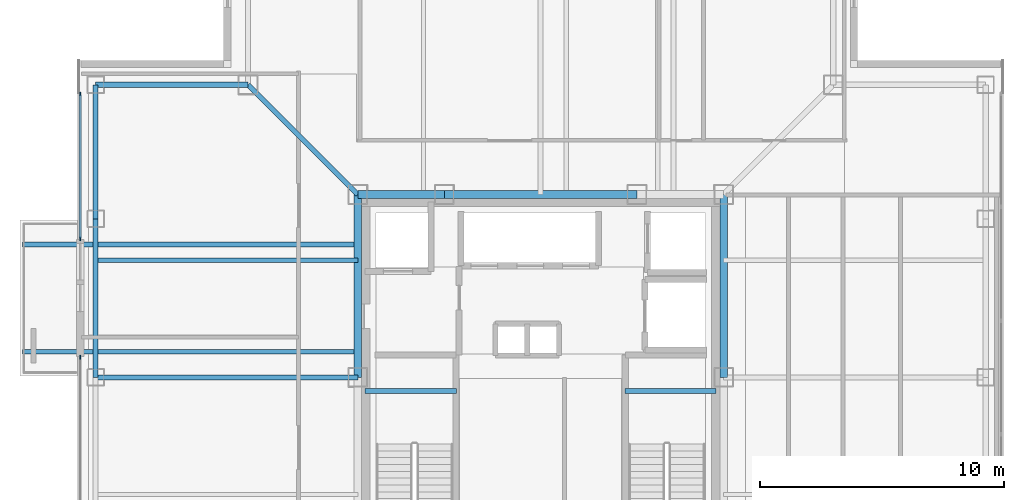
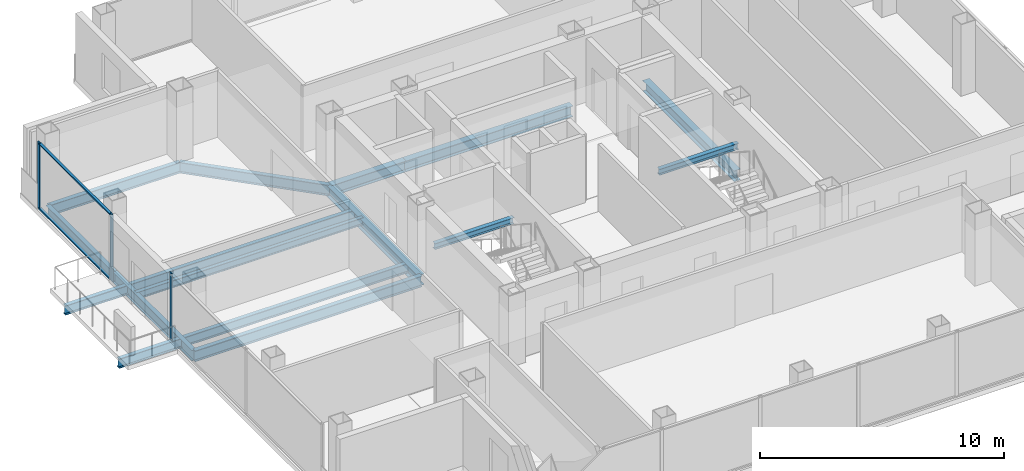
# One storey, part 4 of 13: 14 beams, 5 members, 2 elements without a shape of their own.
"""IFC4 building model written with IfcOpenShell, lengths in metres."""

from ifc_helpers import new_model, si_unit, direction, frame, origin, origin_2d, place, context, subcontext, project, spatial, rectangle, i_section, extrude, material, layer, layer_set, material_profile, profile_set, type_object, element, aggregate, save


model = new_model("IFC4")

# Units and contexts
model_context = context("Model", 3, precision=1e-05, world=origin(), true_north=direction((0.0, 1.0)))
body_context = subcontext(model_context, "Body", "Model", "MODEL_VIEW")
ifc_project = project(units=[si_unit("LENGTHUNIT", "METRE"), si_unit("AREAUNIT", "SQUARE_METRE"), si_unit("VOLUMEUNIT", "CUBIC_METRE"), si_unit("PLANEANGLEUNIT", "RADIAN"), si_unit("MASSUNIT", "GRAM", prefix="KILO")], contexts=[model_context])

# Site, building, storey
site_placement = place(None, origin())
site = spatial("IfcSite", under=ifc_project, at=site_placement, CompositionType="ELEMENT")
building_placement = place(site_placement, origin())
building = spatial("IfcBuilding", under=site, at=building_placement, Name="Trevonay Congress Spire", CompositionType="ELEMENT")
storey_placement = place(building_placement, frame((0.0, 0.0, 254.0)))
storey = spatial("IfcBuildingStorey", under=building, at=storey_placement, Name="L66", CompositionType="ELEMENT", Elevation=254.0)

# Beams
ifc_material_1 = material(Name="Steel ASTM A572 Grade 50", Category="steel")
ifc_material_profile_1 = material_profile(ifc_material_1, i_section(OverallWidth=0.194091796875, OverallDepth=0.468994140625, WebThickness=0.011474609375, FlangeThickness=0.01953125, FilletRadius=0.013916015625, at=origin_2d()), Name="W460x106")
ifc_profile_set_1 = profile_set([ifc_material_profile_1], Name="Steel ASTM A572 Grade 50")
beam_type_1 = type_object("IfcBeamType", Name="BM-BAL-LOOKOUT", PredefinedType="BEAM", material=ifc_profile_set_1)
for number, where, z_axis, x_axis, name in (
    (1, (-7.5, 1.050048828125, -0.474609375), (-1.0, 0.0, 0.0), (0.0, -1.0, 0.0), "L66 structural beam LKT-L66-W1"),
    (2, (-7.5, 5.449951171875, -0.474609375), (-1.0, 0.0, 0.0), (0.0, -1.0, 0.0), "L66 structural beam LKT-L66-W2"),
):
    element("IfcBeam", number, at=place(storey_placement, frame(where, z_axis=z_axis, x_axis=x_axis)), inside=storey, type_object=beam_type_1, Name=name, PredefinedType="BEAM", context=body_context, shape_type="SweptSolid", body=[
        extrude(i_section(OverallWidth=0.194091796875, OverallDepth=0.468994140625, WebThickness=0.011474609375, FlangeThickness=0.01953125, FilletRadius=0.013916015625, at=origin_2d()), origin(), (0.0, 0.0, 1.0), 13.75),
    ])
ifc_material_profile_2 = material_profile(ifc_material_1, i_section(OverallWidth=0.2119140625, OverallDepth=0.5439453125, WebThickness=0.01318359375, FlangeThickness=0.021240234375, FilletRadius=0.014892578125, at=origin_2d()), Name="W530x123")
ifc_profile_set_2 = profile_set([ifc_material_profile_2], Name="Steel ASTM A572 Grade 50")
beam_type_2 = type_object("IfcBeamType", Name="BM-GIRD-W530X123", PredefinedType="BEAM", material=ifc_profile_set_2)
beam_1_placement = place(storey_placement, frame((-7.5, 7.5, -0.511962890625), z_axis=(-0.707106781187, 0.707106781187, 0.0), x_axis=(-0.707106781187, -0.707106781187, 0.0)))
element("IfcBeam", 3, at=beam_1_placement, inside=storey, type_object=beam_type_2, Name="L66 structural beam BM-L66-CDNW", PredefinedType="BEAM", context=body_context, shape_type="SweptSolid", body=[
    extrude(i_section(OverallWidth=0.2119140625, OverallDepth=0.5439453125, WebThickness=0.01318359375, FlangeThickness=0.021240234375, FilletRadius=0.014892578125, at=origin_2d()), origin(), (0.0, 0.0, 1.0), 6.364013671875),
])
beam_2_placement = place(storey_placement, frame((-7.5, 0.0, -0.511962890625), z_axis=(-1.0, 0.0, 0.0), x_axis=(0.0, -1.0, 0.0)))
element("IfcBeam", 4, at=beam_2_placement, inside=storey, type_object=beam_type_2, Name="L66 structural beam BM-L66-GC-W", PredefinedType="BEAM", context=body_context, shape_type="SweptSolid", body=[
    extrude(i_section(OverallWidth=0.2119140625, OverallDepth=0.5439453125, WebThickness=0.01318359375, FlangeThickness=0.021240234375, FilletRadius=0.014892578125, at=origin_2d()), origin(), (0.0, 0.0, 1.0), 10.75),
])
ifc_material_profile_3 = material_profile(ifc_material_1, i_section(OverallWidth=0.31201171875, OverallDepth=0.54296875, WebThickness=0.0126953125, FlangeThickness=0.020263671875, FilletRadius=0.014892578125, at=origin_2d()), Name="W530x150")
ifc_profile_set_3 = profile_set([ifc_material_profile_3], Name="Steel ASTM A572 Grade 50")
beam_type_3 = type_object("IfcBeamType", Name="BM-GIRD-W530X150", PredefinedType="BEAM", material=ifc_profile_set_3)
beam_3_placement = place(storey_placement, frame((-7.5, 7.5, -0.511474609375), z_axis=(1.0, 0.0, 0.0), x_axis=(0.0, 1.0, 0.0)))
element("IfcBeam", 5, at=beam_3_placement, inside=storey, type_object=beam_type_3, Name="L66 structural beam BM-L66-CR-N1", PredefinedType="BEAM", context=body_context, shape_type="SweptSolid", body=[
    extrude(i_section(OverallWidth=0.31201171875, OverallDepth=0.54296875, WebThickness=0.0126953125, FlangeThickness=0.020263671875, FilletRadius=0.014892578125, at=origin_2d()), origin(), (0.0, 0.0, 1.0), 3.550048828125),
])
beam_4_placement = place(storey_placement, frame((-3.949951171875, 7.5, -0.511474609375), z_axis=(1.0, 0.0, 0.0), x_axis=(0.0, 1.0, 0.0)))
element("IfcBeam", 6, at=beam_4_placement, inside=storey, type_object=beam_type_3, Name="L66 structural beam BM-L66-CR-N2", PredefinedType="BEAM", context=body_context, shape_type="SweptSolid", body=[
    extrude(i_section(OverallWidth=0.31201171875, OverallDepth=0.54296875, WebThickness=0.0126953125, FlangeThickness=0.020263671875, FilletRadius=0.014892578125, at=origin_2d()), origin(), (0.0, 0.0, 1.0), 7.89990234375),
])
for number, where, z_axis, x_axis, name in (
    (7, (-7.5, 0.0, -0.511474609375), (0.0, 1.0, 0.0), (-1.0, 0.0, 0.0), "L66 structural beam BM-L66-CR-W2"),
    (8, (7.5, 0.0, -0.511474609375), (0.0, 1.0, 0.0), (-1.0, 0.0, 0.0), "L66 structural beam BM-L66-CR-E2"),
):
    element("IfcBeam", number, at=place(storey_placement, frame(where, z_axis=z_axis, x_axis=x_axis)), inside=storey, type_object=beam_type_3, Name=name, PredefinedType="BEAM", context=body_context, shape_type="SweptSolid", body=[
        extrude(i_section(OverallWidth=0.31201171875, OverallDepth=0.54296875, WebThickness=0.0126953125, FlangeThickness=0.020263671875, FilletRadius=0.014892578125, at=origin_2d()), origin(), (0.0, 0.0, 1.0), 7.5),
    ])
ifc_material_profile_4 = material_profile(ifc_material_1, i_section(OverallWidth=0.208984375, OverallDepth=0.532958984375, WebThickness=0.01025390625, FlangeThickness=0.015625, FilletRadius=0.014892578125, at=origin_2d()), Name="W530x92")
ifc_profile_set_4 = profile_set([ifc_material_profile_4], Name="Steel ASTM A572 Grade 50")
beam_type_4 = type_object("IfcBeamType", Name="BM-RING-W530X92", PredefinedType="BEAM", material=ifc_profile_set_4)
beam_5_placement = place(storey_placement, frame((-18.25, 0.0, -0.506591796875), z_axis=(0.0, 1.0, 0.0), x_axis=(-1.0, 0.0, 0.0)))
element("IfcBeam", 9, at=beam_5_placement, inside=storey, type_object=beam_type_4, Name="L66 structural beam BM-L66-PW3", PredefinedType="BEAM", context=body_context, shape_type="SweptSolid", body=[
    extrude(i_section(OverallWidth=0.208984375, OverallDepth=0.532958984375, WebThickness=0.01025390625, FlangeThickness=0.015625, FilletRadius=0.014892578125, at=origin_2d()), origin(), (0.0, 0.0, 1.0), 6.5),
])
beam_6_placement = place(storey_placement, frame((-18.25, 6.5, -0.506591796875), z_axis=(0.0, 1.0, 0.0), x_axis=(-1.0, 0.0, 0.0)))
element("IfcBeam", 10, at=beam_6_placement, inside=storey, type_object=beam_type_4, Name="L66 structural beam BM-L66-PW4", PredefinedType="BEAM", context=body_context, shape_type="SweptSolid", body=[
    extrude(i_section(OverallWidth=0.208984375, OverallDepth=0.532958984375, WebThickness=0.01025390625, FlangeThickness=0.015625, FilletRadius=0.014892578125, at=origin_2d()), origin(), (0.0, 0.0, 1.0), 5.5),
])
beam_7_placement = place(storey_placement, frame((-18.25, 12.0, -0.506591796875), z_axis=(1.0, 0.0, 0.0), x_axis=(0.0, 1.0, 0.0)))
element("IfcBeam", 11, at=beam_7_placement, inside=storey, type_object=beam_type_4, Name="L66 structural beam BM-L66-N2NW", PredefinedType="BEAM", context=body_context, shape_type="SweptSolid", body=[
    extrude(i_section(OverallWidth=0.208984375, OverallDepth=0.532958984375, WebThickness=0.01025390625, FlangeThickness=0.015625, FilletRadius=0.014892578125, at=origin_2d()), origin(), (0.0, 0.0, 1.0), 6.25),
])

# Curtain wall, member
ifc_material_2 = material(Name="Pale Anodised Aluminium EN AW-6063-T6", Category="aluminium")
ifc_layer = layer(ifc_material_2, 0.1650390625, Name="Pale Anodised Aluminium EN AW-6063-T6")
ifc_layer_set = layer_set([ifc_layer], Name="Pale Anodised Aluminium EN AW-6063-T6")
curtain_wall_type = type_object("IfcCurtainWallType", Name="CW-SYS05-DIPLOM-PALE-METAL", PredefinedType="NOTDEFINED", material=ifc_layer_set)
curtain_wall_1_placement = place(storey_placement, origin())
curtain_wall_1 = element("IfcCurtainWall", 12, at=curtain_wall_1_placement, inside=storey, type_object=curtain_wall_type, Name="L66 WA unitised curtain wall", PredefinedType="NOTDEFINED")
ifc_material_profile_5 = material_profile(ifc_material_2, rectangle(XDim=0.06005859375, YDim=0.159912109375, at=origin_2d()), Name="CW-MULLION-160-ALUMINIUM")
ifc_profile_set_5 = profile_set([ifc_material_profile_5], Name="Pale Anodised Aluminium EN AW-6063-T6")
member_type_1 = type_object("IfcMemberType", Name="CW-MULLION-160-ALUMINIUM", PredefinedType="MULLION", material=ifc_profile_set_5)
member_1_placement = place(storey_placement, frame((-18.8798828125, 0.820068359375, 0.0), z_axis=(0.0, 0.0, 1.0), x_axis=(-1.0, 0.0, 0.0)))
member_1 = element("IfcMember", 13, at=member_1_placement, type_object=member_type_1, Name="CW05 mullion 3", PredefinedType="MULLION", context=body_context, shape_type="SweptSolid", body=[
    extrude(rectangle(XDim=0.06005859375, YDim=0.159912109375, at=origin_2d()), origin(), (0.0, 0.0, 1.0), 3.360107421875),
])
aggregate(curtain_wall_1, [member_1])

# Curtain wall, members
curtain_wall_2_placement = place(storey_placement, origin())
curtain_wall_2 = element("IfcCurtainWall", 14, at=curtain_wall_2_placement, inside=storey, type_object=curtain_wall_type, Name="L66 WB unitised curtain wall", PredefinedType="NOTDEFINED")
member_2_placement = place(storey_placement, frame((-18.8798828125, 5.679931640625, 0.0), z_axis=(0.0, 0.0, 1.0), x_axis=(-1.0, 0.0, 0.0)))
member_2 = element("IfcMember", 15, at=member_2_placement, type_object=member_type_1, Name="CW05 mullion 1", PredefinedType="MULLION", context=body_context, shape_type="SweptSolid", body=[
    extrude(rectangle(XDim=0.06005859375, YDim=0.159912109375, at=origin_2d()), origin(), (0.0, 0.0, 1.0), 3.360107421875),
])
member_3_placement = place(storey_placement, frame((-18.8798828125, 11.6201171875, 0.0), z_axis=(0.0, 0.0, 1.0), x_axis=(-1.0, 0.0, 0.0)))
member_3 = element("IfcMember", 16, at=member_3_placement, type_object=member_type_1, Name="CW05 mullion 2", PredefinedType="MULLION", context=body_context, shape_type="SweptSolid", body=[
    extrude(rectangle(XDim=0.06005859375, YDim=0.159912109375, at=origin_2d()), origin(), (0.0, 0.0, 1.0), 3.360107421875),
])
ifc_material_profile_6 = material_profile(ifc_material_2, rectangle(XDim=0.1201171875, YDim=0.06005859375, at=origin_2d()), Name="CW-TRANSOM-120-ALUMINIUM")
ifc_profile_set_6 = profile_set([ifc_material_profile_6], Name="Pale Anodised Aluminium EN AW-6063-T6")
member_type_2 = type_object("IfcMemberType", Name="CW-TRANSOM-120-ALUMINIUM", PredefinedType="USERDEFINED", material=ifc_profile_set_6)
member_4_placement = place(storey_placement, frame((-18.8798828125, 5.7099609375, 0.06005859375), z_axis=(0.0, 1.0, 0.0), x_axis=(-1.0, 0.0, 0.0)))
member_4 = element("IfcMember", 17, at=member_4_placement, type_object=member_type_2, Name="CW05 transom 1.1", ObjectType="TRANSOM", PredefinedType="USERDEFINED", context=body_context, shape_type="SweptSolid", body=[
    extrude(rectangle(XDim=0.1201171875, YDim=0.06005859375, at=origin_2d()), origin(), (0.0, 0.0, 1.0), 5.880126953125),
])
member_5_placement = place(storey_placement, frame((-18.8798828125, 5.7099609375, 3.300048828125), z_axis=(0.0, 1.0, 0.0), x_axis=(-1.0, 0.0, 0.0)))
member_5 = element("IfcMember", 18, at=member_5_placement, type_object=member_type_2, Name="CW05 transom 1.2", ObjectType="TRANSOM", PredefinedType="USERDEFINED", context=body_context, shape_type="SweptSolid", body=[
    extrude(rectangle(XDim=0.1201171875, YDim=0.06005859375, at=origin_2d()), origin(), (0.0, 0.0, 1.0), 5.880126953125),
])
aggregate(curtain_wall_2, [member_2, member_3, member_4, member_5])

# Beams
ifc_material_profile_7 = material_profile(ifc_material_1, i_section(OverallWidth=0.172119140625, OverallDepth=0.35791015625, WebThickness=0.0078125, FlangeThickness=0.01318359375, FilletRadius=0.011962890625, at=origin_2d()), Name="W360x57.8")
ifc_profile_set_7 = profile_set([ifc_material_profile_7], Name="Steel ASTM A572 Grade 50")
beam_type_5 = type_object("IfcBeamType", Name="JS-COMP-W360X57", PredefinedType="JOIST", material=ifc_profile_set_7)
beam_8_placement = place(storey_placement, frame((-18.25, 4.800048828125, -0.4189453125), z_axis=(1.0, 0.0, 0.0), x_axis=(0.0, 1.0, 0.0)))
element("IfcBeam", 19, at=beam_8_placement, inside=storey, type_object=beam_type_5, Name="L66 structural beam JS-L66-EW-W3", PredefinedType="JOIST", context=body_context, shape_type="SweptSolid", body=[
    extrude(i_section(OverallWidth=0.172119140625, OverallDepth=0.35791015625, WebThickness=0.0078125, FlangeThickness=0.01318359375, FilletRadius=0.011962890625, at=origin_2d()), origin(), (0.0, 0.0, 1.0), 10.75),
])
ifc_material_profile_8 = material_profile(ifc_material_1, i_section(OverallWidth=0.2041015625, OverallDepth=0.305908203125, WebThickness=0.008544921875, FlangeThickness=0.0146484375, FilletRadius=0.010986328125, at=origin_2d()), Name="W310x67")
ifc_profile_set_8 = profile_set([ifc_material_profile_8], Name="Steel ASTM A572 Grade 50")
beam_type_6 = type_object("IfcBeamType", Name="LN-CORE-W310X67", PredefinedType="LINTEL", material=ifc_profile_set_8)
for number, where, z_axis, x_axis, name in (
    (20, (-7.199951171875, -0.550048828125, 1.447021484375), (1.0, 0.0, 0.0), (0.0, 1.0, 0.0), "L66 structural beam BM-L66-HL-ST1"),
    (21, (3.449951171875, -0.550048828125, 1.447021484375), (1.0, 0.0, 0.0), (0.0, 1.0, 0.0), "L66 structural beam BM-L66-HL-ST2"),
):
    element("IfcBeam", number, at=place(storey_placement, frame(where, z_axis=z_axis, x_axis=x_axis)), inside=storey, type_object=beam_type_6, Name=name, PredefinedType="LINTEL", context=body_context, shape_type="SweptSolid", body=[
        extrude(i_section(OverallWidth=0.2041015625, OverallDepth=0.305908203125, WebThickness=0.008544921875, FlangeThickness=0.0146484375, FilletRadius=0.010986328125, at=origin_2d()), origin(), (0.0, 0.0, 1.0), 3.75),
    ])

save(model, "model.ifc")
